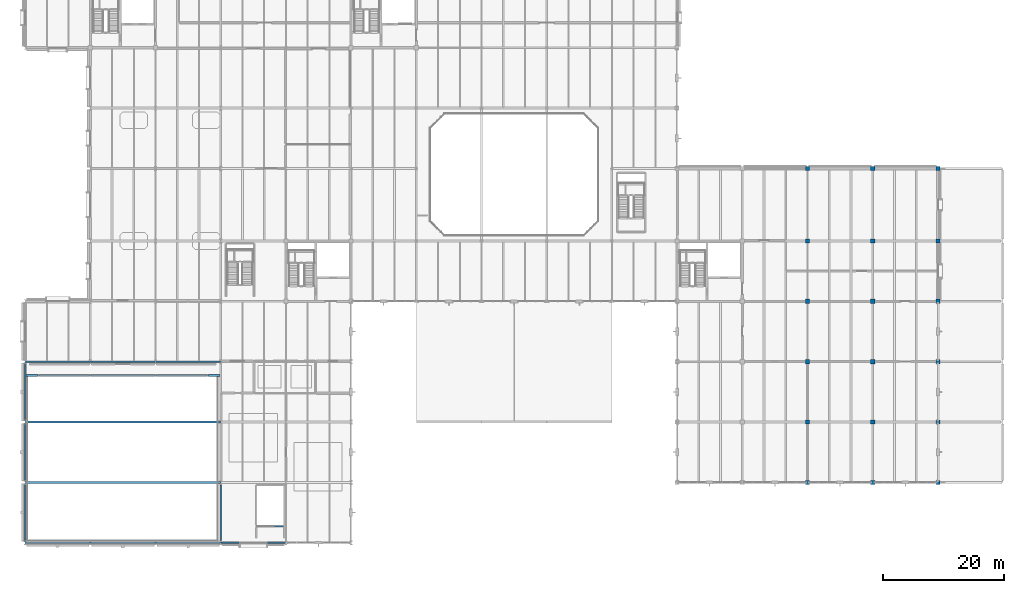
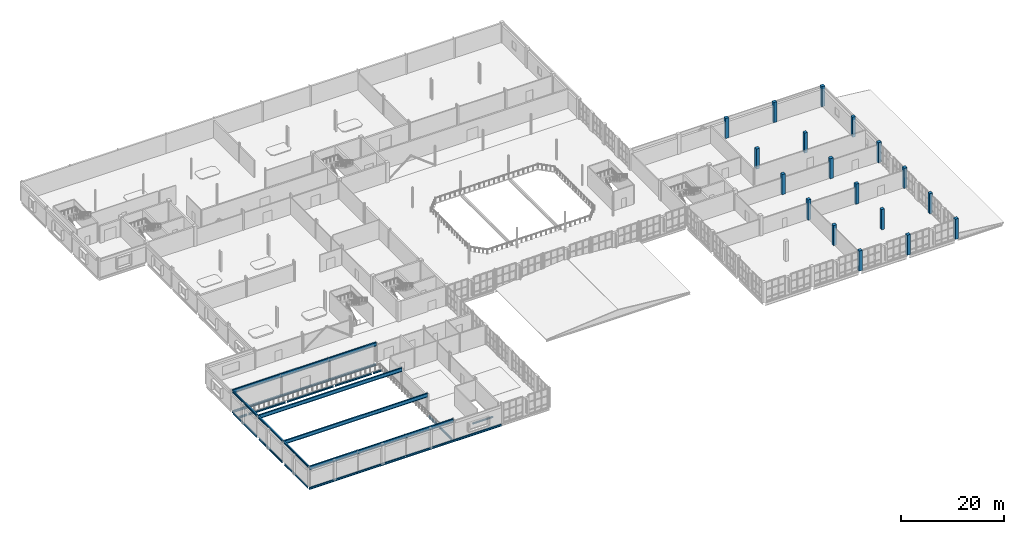
# One storey, part 15 of 92: 24 beams, 18 columns.
"""IFC4 building model written with IfcOpenShell, lengths in metres."""

from ifc_helpers import new_model, si_unit, direction, frame, origin, origin_2d, place, context, subcontext, project, spatial, rectangle, i_section, extrude, material, material_profile, profile_set, type_object, element, save


model = new_model("IFC4")

# Units and contexts
model_context = context("Model", 3, precision=1e-05, world=origin(), true_north=direction((0.0, 1.0)))
body_context = subcontext(model_context, "Body", "Model", "MODEL_VIEW")
ifc_project = project(units=[si_unit("LENGTHUNIT", "METRE"), si_unit("AREAUNIT", "SQUARE_METRE"), si_unit("VOLUMEUNIT", "CUBIC_METRE"), si_unit("PLANEANGLEUNIT", "RADIAN"), si_unit("MASSUNIT", "GRAM", prefix="KILO")], contexts=[model_context])

# Site, building, storey
site_placement = place(None, origin())
site = spatial("IfcSite", under=ifc_project, at=site_placement, CompositionType="ELEMENT")
building_placement = place(site_placement, origin())
building = spatial("IfcBuilding", under=site, at=building_placement, Name="Tasgan Crest Museum", CompositionType="ELEMENT")
storey_placement = place(building_placement, frame((0.0, 0.0, 4.800048828125)))
storey = spatial("IfcBuildingStorey", under=building, at=storey_placement, Name="L01", CompositionType="ELEMENT", Elevation=4.800048828125)

# Columns
ifc_material_1 = material(Name="Concrete C40/50", Category="concrete")
ifc_material_profile_1 = material_profile(ifc_material_1, rectangle(XDim=0.699951171875, YDim=0.699951171875, at=origin_2d()), Name="RC 700x700")
ifc_profile_set_1 = profile_set([ifc_material_profile_1], Name="Concrete C40/50")
column_type = type_object("IfcColumnType", Name="COL-RC700", PredefinedType="COLUMN", material=ifc_profile_set_1)
for number, where, z_axis, x_axis, name in (
    (1, (129.60009765625, 10.0, 0.0), (0.0, 0.0, 1.0), (1.0, 0.0, 0.0), "Column 13/B L01"),
    (2, (129.60009765625, 20.0, 0.0), (0.0, 0.0, 1.0), (1.0, 0.0, 0.0), "Column 13/C L01"),
    (3, (129.60009765625, 30.0, 0.0), (0.0, 0.0, 1.0), (1.0, 0.0, 0.0), "Column 13/D L01"),
    (4, (129.60009765625, 40.0, 0.0), (0.0, 0.0, 1.0), (1.0, 0.0, 0.0), "Column 13/E L01"),
    (5, (129.60009765625, 50.0, 0.0), (0.0, 0.0, 1.0), (1.0, 0.0, 0.0), "Column 13/F L01"),
    (6, (129.60009765625, 62.0, 0.0), (0.0, 0.0, 1.0), (1.0, 0.0, 0.0), "Column 13/G L01"),
    (7, (140.39990234375, 10.0, 0.0), (0.0, 0.0, 1.0), (1.0, 0.0, 0.0), "Column 14/B L01"),
    (8, (140.39990234375, 20.0, 0.0), (0.0, 0.0, 1.0), (1.0, 0.0, 0.0), "Column 14/C L01"),
    (9, (140.39990234375, 30.0, 0.0), (0.0, 0.0, 1.0), (1.0, 0.0, 0.0), "Column 14/D L01"),
    (10, (140.39990234375, 40.0, 0.0), (0.0, 0.0, 1.0), (1.0, 0.0, 0.0), "Column 14/E L01"),
    (11, (140.39990234375, 50.0, 0.0), (0.0, 0.0, 1.0), (1.0, 0.0, 0.0), "Column 14/F L01"),
    (12, (140.39990234375, 62.0, 0.0), (0.0, 0.0, 1.0), (1.0, 0.0, 0.0), "Column 14/G L01"),
    (13, (151.199951171875, 10.0, 0.0), (0.0, 0.0, 1.0), (1.0, 0.0, 0.0), "Column 15/B L01"),
    (14, (151.199951171875, 20.0, 0.0), (0.0, 0.0, 1.0), (1.0, 0.0, 0.0), "Column 15/C L01"),
    (15, (151.199951171875, 30.0, 0.0), (0.0, 0.0, 1.0), (1.0, 0.0, 0.0), "Column 15/D L01"),
    (16, (151.199951171875, 40.0, 0.0), (0.0, 0.0, 1.0), (1.0, 0.0, 0.0), "Column 15/E L01"),
    (17, (151.199951171875, 50.0, 0.0), (0.0, 0.0, 1.0), (1.0, 0.0, 0.0), "Column 15/F L01"),
    (18, (151.199951171875, 62.0, 0.0), (0.0, 0.0, 1.0), (1.0, 0.0, 0.0), "Column 15/G L01"),
):
    element("IfcColumn", number, at=place(storey_placement, frame(where, z_axis=z_axis, x_axis=x_axis)), inside=storey, type_object=column_type, Name=name, PredefinedType="COLUMN", context=body_context, shape_type="SweptSolid", body=[
        extrude(rectangle(XDim=0.699951171875, YDim=0.699951171875, at=origin_2d()), origin(), (0.0, 0.0, 1.0), 4.800048828125),
    ])

# Beams
ifc_material_2 = material(Name="Steel S355J2", Category="steel")
ifc_material_profile_2 = material_profile(ifc_material_2, i_section(OverallWidth=0.300048828125, OverallDepth=0.43994140625, WebThickness=0.011474609375, FlangeThickness=0.02099609375, FilletRadius=0.027099609375, at=origin_2d()), Name="HEA 450")
ifc_profile_set_2 = profile_set([ifc_material_profile_2], Name="Steel S355J2")
beam_type_1 = type_object("IfcBeamType", Name="BM-G-HEA450", PredefinedType="BEAM", material=ifc_profile_set_2)
beam_1_placement = place(storey_placement, frame((0.14990234375, 27.699951171875, -0.4599609375), z_axis=(1.0, 0.0, 0.0), x_axis=(0.0, 1.0, 0.0)))
element("IfcBeam", 19, at=beam_1_placement, inside=storey, type_object=beam_type_1, Name="Auditorium balcony edge beam 0.1-2.0", PredefinedType="BEAM", context=body_context, shape_type="SweptSolid", body=[
    extrude(i_section(OverallWidth=0.300048828125, OverallDepth=0.43994140625, WebThickness=0.011474609375, FlangeThickness=0.02099609375, FilletRadius=0.027099609375, at=origin_2d()), origin(), (0.0, 0.0, 1.0), 1.900146484375),
])
beam_2_placement = place(storey_placement, frame((2.35009765625, 27.699951171875, -0.4599609375), z_axis=(1.0, 0.0, 0.0), x_axis=(0.0, 1.0, 0.0)))
element("IfcBeam", 20, at=beam_2_placement, inside=storey, type_object=beam_type_1, Name="Auditorium balcony edge beam 2.4-10.7", PredefinedType="BEAM", context=body_context, shape_type="SweptSolid", body=[
    extrude(i_section(OverallWidth=0.300048828125, OverallDepth=0.43994140625, WebThickness=0.011474609375, FlangeThickness=0.02099609375, FilletRadius=0.027099609375, at=origin_2d()), origin(), (0.0, 0.0, 1.0), 8.2998046875),
])
beam_3_placement = place(storey_placement, frame((10.949951171875, 27.699951171875, -0.4599609375), z_axis=(1.0, 0.0, 0.0), x_axis=(0.0, 1.0, 0.0)))
element("IfcBeam", 21, at=beam_3_placement, inside=storey, type_object=beam_type_1, Name="Auditorium balcony edge beam 10.9-21.4", PredefinedType="BEAM", context=body_context, shape_type="SweptSolid", body=[
    extrude(i_section(OverallWidth=0.300048828125, OverallDepth=0.43994140625, WebThickness=0.011474609375, FlangeThickness=0.02099609375, FilletRadius=0.027099609375, at=origin_2d()), origin(), (0.0, 0.0, 1.0), 10.5),
])
beam_4_placement = place(storey_placement, frame((21.75, 27.699951171875, -0.4599609375), z_axis=(1.0, 0.0, 0.0), x_axis=(0.0, 1.0, 0.0)))
element("IfcBeam", 22, at=beam_4_placement, inside=storey, type_object=beam_type_1, Name="Auditorium balcony edge beam 21.8-30.1", PredefinedType="BEAM", context=body_context, shape_type="SweptSolid", body=[
    extrude(i_section(OverallWidth=0.300048828125, OverallDepth=0.43994140625, WebThickness=0.011474609375, FlangeThickness=0.02099609375, FilletRadius=0.027099609375, at=origin_2d()), origin(), (0.0, 0.0, 1.0), 8.300048828125),
])
beam_5_placement = place(storey_placement, frame((30.35009765625, 27.699951171875, -0.4599609375), z_axis=(1.0, 0.0, 0.0), x_axis=(0.0, 1.0, 0.0)))
element("IfcBeam", 23, at=beam_5_placement, inside=storey, type_object=beam_type_1, Name="Auditorium balcony edge beam 30.4-32.2", PredefinedType="BEAM", context=body_context, shape_type="SweptSolid", body=[
    extrude(i_section(OverallWidth=0.300048828125, OverallDepth=0.43994140625, WebThickness=0.011474609375, FlangeThickness=0.02099609375, FilletRadius=0.027099609375, at=origin_2d()), origin(), (0.0, 0.0, 1.0), 1.89990234375),
])
for number, where, z_axis, x_axis, name in (
    (24, (0.0, 0.14990234375, 4.579833984375), (0.0, 1.0, 0.0), (-1.0, 0.0, 0.0), "Auditorium west eave beam 0-10"),
    (25, (0.0, 10.14990234375, 4.579833984375), (0.0, 1.0, 0.0), (-1.0, 0.0, 0.0), "Auditorium west eave beam 10-20"),
    (26, (0.0, 20.14990234375, 4.579833984375), (0.0, 1.0, 0.0), (-1.0, 0.0, 0.0), "Auditorium west eave beam 20-30"),
):
    element("IfcBeam", number, at=place(storey_placement, frame(where, z_axis=z_axis, x_axis=x_axis)), inside=storey, type_object=beam_type_1, Name=name, PredefinedType="BEAM", context=body_context, shape_type="SweptSolid", body=[
        extrude(i_section(OverallWidth=0.300048828125, OverallDepth=0.43994140625, WebThickness=0.011474609375, FlangeThickness=0.02099609375, FilletRadius=0.027099609375, at=origin_2d()), origin(), (0.0, 0.0, 1.0), 9.7001953125),
    ])
ifc_material_3 = material(Name="Steel S355J2", Category="steel")
ifc_material_profile_3 = material_profile(ifc_material_3, i_section(OverallWidth=0.300048828125, OverallDepth=0.489990234375, WebThickness=0.011962890625, FlangeThickness=0.02294921875, FilletRadius=0.027099609375, at=origin_2d()), Name="HEA 500")
ifc_profile_set_3 = profile_set([ifc_material_profile_3], Name="Steel S355J2")
beam_type_2 = type_object("IfcBeamType", Name="BM-G-HEA500", PredefinedType="BEAM", material=ifc_profile_set_3)
beam_6_placement = place(storey_placement, frame((0.0068359375, 0.0, -0.485107421875), z_axis=(1.0, 0.0, 0.0), x_axis=(0.0, 1.0, 0.0)))
element("IfcBeam", 27, at=beam_6_placement, inside=storey, type_object=beam_type_2, Name="Girder L01 A 0.0-10.8", PredefinedType="BEAM", context=body_context, shape_type="SweptSolid", body=[
    extrude(i_section(OverallWidth=0.300048828125, OverallDepth=0.489990234375, WebThickness=0.011962890625, FlangeThickness=0.02294921875, FilletRadius=0.027099609375, at=origin_2d()), origin(), (0.0, 0.0, 1.0), 10.786376953125),
])
for number, where, z_axis, x_axis, name in (
    (28, (10.806640625, 0.0, -0.485107421875), (1.0, 0.0, 0.0), (0.0, 1.0, 0.0), "Girder L01 A 10.8-21.6"),
    (29, (21.606689453125, 0.0, -0.485107421875), (1.0, 0.0, 0.0), (0.0, 1.0, 0.0), "Girder L01 A 21.6-32.4"),
    (30, (32.40673828125, 0.0, -0.485107421875), (1.0, 0.0, 0.0), (0.0, 1.0, 0.0), "Girder L01 A 32.4-43.2"),
):
    element("IfcBeam", number, at=place(storey_placement, frame(where, z_axis=z_axis, x_axis=x_axis)), inside=storey, type_object=beam_type_2, Name=name, PredefinedType="BEAM", context=body_context, shape_type="SweptSolid", body=[
        extrude(i_section(OverallWidth=0.300048828125, OverallDepth=0.489990234375, WebThickness=0.011962890625, FlangeThickness=0.02294921875, FilletRadius=0.027099609375, at=origin_2d()), origin(), (0.0, 0.0, 1.0), 10.78662109375),
    ])
beam_7_placement = place(storey_placement, frame((0.0068359375, 30.0, -0.485107421875), z_axis=(1.0, 0.0, 0.0), x_axis=(0.0, 1.0, 0.0)))
element("IfcBeam", 31, at=beam_7_placement, inside=storey, type_object=beam_type_2, Name="Girder L01 D 0.0-10.8", PredefinedType="BEAM", context=body_context, shape_type="SweptSolid", body=[
    extrude(i_section(OverallWidth=0.300048828125, OverallDepth=0.489990234375, WebThickness=0.011962890625, FlangeThickness=0.02294921875, FilletRadius=0.027099609375, at=origin_2d()), origin(), (0.0, 0.0, 1.0), 10.786376953125),
])
for number, where, z_axis, x_axis, name in (
    (32, (10.806640625, 30.0, -0.485107421875), (1.0, 0.0, 0.0), (0.0, 1.0, 0.0), "Girder L01 D 10.8-21.6"),
    (33, (21.606689453125, 30.0, -0.485107421875), (1.0, 0.0, 0.0), (0.0, 1.0, 0.0), "Girder L01 D 21.6-32.4"),
):
    element("IfcBeam", number, at=place(storey_placement, frame(where, z_axis=z_axis, x_axis=x_axis)), inside=storey, type_object=beam_type_2, Name=name, PredefinedType="BEAM", context=body_context, shape_type="SweptSolid", body=[
        extrude(i_section(OverallWidth=0.300048828125, OverallDepth=0.489990234375, WebThickness=0.011962890625, FlangeThickness=0.02294921875, FilletRadius=0.027099609375, at=origin_2d()), origin(), (0.0, 0.0, 1.0), 10.78662109375),
    ])
ifc_material_4 = material(Name="Steel S355J2", Category="steel")
ifc_material_profile_4 = material_profile(ifc_material_4, i_section(OverallWidth=0.300048828125, OverallDepth=0.300048828125, WebThickness=0.010986328125, FlangeThickness=0.01904296875, FilletRadius=0.027099609375, at=origin_2d()), Name="HEB 300")
ifc_profile_set_4 = profile_set([ifc_material_profile_4], Name="Steel S355J2")
beam_type_3 = type_object("IfcBeamType", Name="BM-G-HEB300", PredefinedType="BEAM", material=ifc_profile_set_4)
beam_8_placement = place(storey_placement, frame((38.260009765625, 2.75, -0.150146484375), z_axis=(1.0, 0.0, 0.0), x_axis=(0.0, 1.0, 0.0)))
element("IfcBeam", 34, at=beam_8_placement, inside=storey, type_object=beam_type_3, Name="FOYS top stair trimmer L01", PredefinedType="BEAM", context=body_context, shape_type="SweptSolid", body=[
    extrude(i_section(OverallWidth=0.300048828125, OverallDepth=0.300048828125, WebThickness=0.010986328125, FlangeThickness=0.01904296875, FilletRadius=0.027099609375, at=origin_2d()), origin(), (0.0, 0.0, 1.0), 4.679931640625),
])
ifc_material_5 = material(Name="Steel S355J2", Category="steel")
ifc_material_profile_5 = material_profile(ifc_material_5, i_section(OverallWidth=0.199951171875, OverallDepth=0.5, WebThickness=0.01025390625, FlangeThickness=0.01611328125, FilletRadius=0.02099609375, at=origin_2d()), Name="IPE 500")
ifc_profile_set_5 = profile_set([ifc_material_profile_5], Name="Steel S355J2")
beam_type_4 = type_object("IfcBeamType", Name="BM-G-IPE500", PredefinedType="BEAM", material=ifc_profile_set_5)
for number, where, z_axis, x_axis, name in (
    (35, (0.0, 0.39501953125, -0.489990234375), (0.0, 1.0, 0.0), (-1.0, 0.0, 0.0), "Beam L01 1 0.0-10.0"),
    (36, (0.0, 10.39501953125, -0.489990234375), (0.0, 1.0, 0.0), (-1.0, 0.0, 0.0), "Beam L01 1 10.0-20.0"),
    (37, (0.0, 20.39501953125, -0.489990234375), (0.0, 1.0, 0.0), (-1.0, 0.0, 0.0), "Beam L01 1 20.0-30.0"),
    (38, (32.39990234375, 0.39501953125, -0.489990234375), (0.0, 1.0, 0.0), (-1.0, 0.0, 0.0), "Beam L01 4 0.0-10.0"),
):
    element("IfcBeam", number, at=place(storey_placement, frame(where, z_axis=z_axis, x_axis=x_axis)), inside=storey, type_object=beam_type_4, Name=name, PredefinedType="BEAM", context=body_context, shape_type="SweptSolid", body=[
        extrude(i_section(OverallWidth=0.199951171875, OverallDepth=0.5, WebThickness=0.01025390625, FlangeThickness=0.01611328125, FilletRadius=0.02099609375, at=origin_2d()), origin(), (0.0, 0.0, 1.0), 9.2099609375),
    ])
ifc_material_6 = material(Name="Steel S355K2", Category="steel")
ifc_material_profile_6 = material_profile(ifc_material_6, i_section(OverallWidth=0.300048828125, OverallDepth=0.89990234375, WebThickness=0.0185546875, FlangeThickness=0.034912109375, FilletRadius=0.030029296875, at=origin_2d()), Name="HEB 900")
ifc_profile_set_6 = profile_set([ifc_material_profile_6], Name="Steel S355K2")
beam_type_5 = type_object("IfcBeamType", Name="BM-TG-HEB900", PredefinedType="BEAM", material=ifc_profile_set_6)
for number, where, z_axis, x_axis, name in (
    (39, (0.008056640625, 0.0, 4.349853515625), (1.0, 0.0, 0.0), (0.0, 1.0, 0.0), "Auditorium long-span girder A"),
    (40, (0.008056640625, 10.0, 4.349853515625), (1.0, 0.0, 0.0), (0.0, 1.0, 0.0), "Auditorium long-span girder B"),
    (41, (0.008056640625, 20.0, 4.349853515625), (1.0, 0.0, 0.0), (0.0, 1.0, 0.0), "Auditorium long-span girder C"),
    (42, (0.008056640625, 30.0, 4.349853515625), (1.0, 0.0, 0.0), (0.0, 1.0, 0.0), "Auditorium long-span girder D"),
):
    element("IfcBeam", number, at=place(storey_placement, frame(where, z_axis=z_axis, x_axis=x_axis)), inside=storey, type_object=beam_type_5, Name=name, PredefinedType="BEAM", context=body_context, shape_type="SweptSolid", body=[
        extrude(i_section(OverallWidth=0.300048828125, OverallDepth=0.89990234375, WebThickness=0.0185546875, FlangeThickness=0.034912109375, FilletRadius=0.030029296875, at=origin_2d()), origin(), (0.0, 0.0, 1.0), 32.384033203125),
    ])

save(model, "model.ifc")
